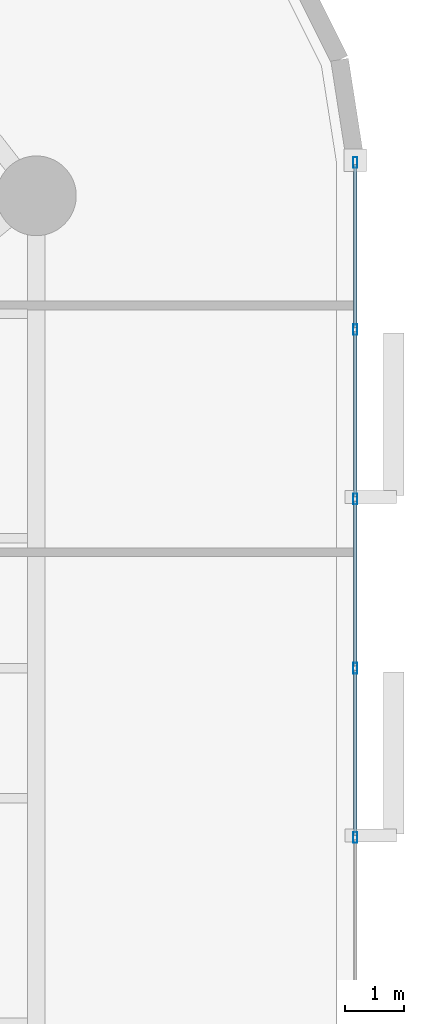
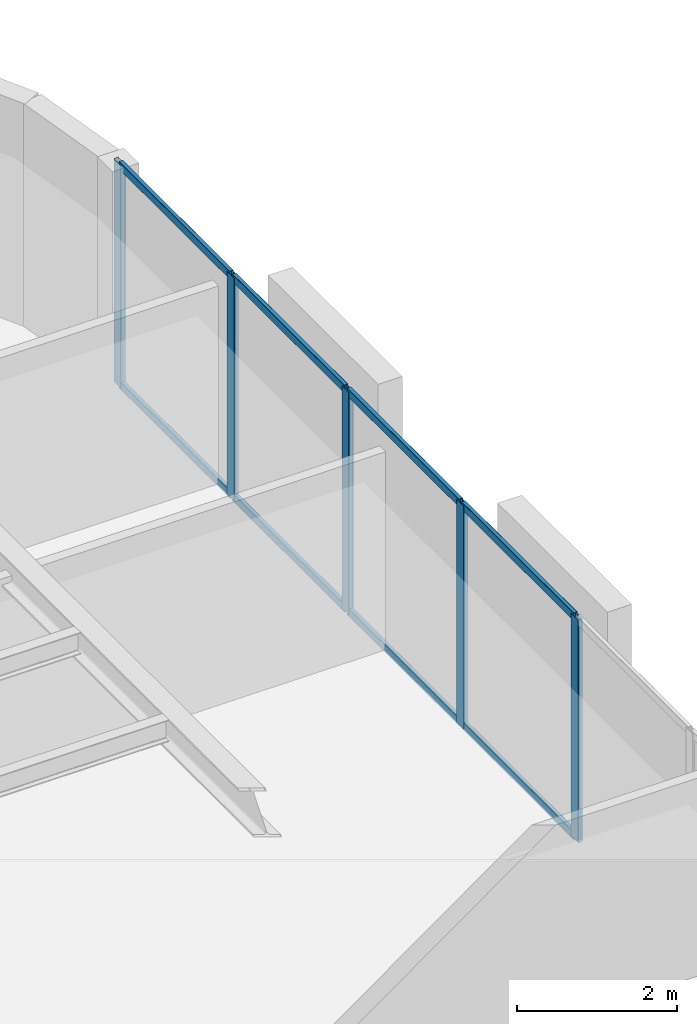
# One storey, part 6 of 15: 13 members, 1 element without a shape of its own.
"""IFC4 building model written with IfcOpenShell, lengths in metres."""

from ifc_helpers import new_model, si_unit, direction, frame, origin, origin_2d, place, context, subcontext, project, spatial, hollow_rectangle, extrude, material, layer, layer_set, material_profile, profile_set, type_object, element, aggregate, save


model = new_model("IFC4")

# Units and contexts
model_context = context("Model", 3, precision=1e-05, world=origin(), true_north=direction((0.0, 1.0)))
body_context = subcontext(model_context, "Body", "Model", "MODEL_VIEW")
ifc_project = project(units=[si_unit("LENGTHUNIT", "METRE"), si_unit("AREAUNIT", "SQUARE_METRE"), si_unit("VOLUMEUNIT", "CUBIC_METRE"), si_unit("PLANEANGLEUNIT", "RADIAN"), si_unit("MASSUNIT", "GRAM", prefix="KILO")], contexts=[model_context])

# Site, building, storey
site_placement = place(None, origin())
site = spatial("IfcSite", under=ifc_project, at=site_placement, CompositionType="ELEMENT")
building_placement = place(site_placement, origin())
building = spatial("IfcBuilding", under=site, at=building_placement, Name="An Khanh Terracotta Commons", CompositionType="ELEMENT")
storey_placement = place(building_placement, frame((0.0, 0.0, 122.300048828125)))
storey = spatial("IfcBuildingStorey", under=building, at=storey_placement, Name="L32", CompositionType="ELEMENT", Elevation=122.300048828125)

# Curtain wall, members
ifc_material = material(Name="Anodised Aluminium 6063-T6", Category="aluminium")
ifc_layer = layer(ifc_material, 0.199951171875, Name="Anodised Aluminium 6063-T6")
ifc_layer_set = layer_set([ifc_layer], Name="Anodised Aluminium 6063-T6")
curtain_wall_type = type_object("IfcCurtainWallType", Name="CW-SYS-02", PredefinedType="USERDEFINED", material=ifc_layer_set)
curtain_wall_placement = place(storey_placement, origin())
curtain_wall = element("IfcCurtainWall", 1, at=curtain_wall_placement, inside=storey, type_object=curtain_wall_type, Name="L32 CW-02 Unitised Curtain Wall CW-L32-12", ObjectType="UNITISED CURTAIN WALL", PredefinedType="USERDEFINED")
ifc_material_profile_1 = material_profile(ifc_material, hollow_rectangle(XDim=0.070068359375, YDim=0.179931640625, WallThickness=0.00390625, InnerFilletRadius=0.00390625, OuterFilletRadius=0.008056640625, at=origin_2d()), Name="RHS180x70x4")
ifc_profile_set_1 = profile_set([ifc_material_profile_1], Name="Anodised Aluminium 6063-T6")
member_type_1 = type_object("IfcMemberType", Name="CWM-RHS180x70x4", PredefinedType="MULLION", material=ifc_profile_set_1)
member_1_placement = place(storey_placement, frame((57.39990234375, 21.13330078125, 0.0), z_axis=(0.0, 0.0, 1.0), x_axis=(-1.0, 0.0, 0.0)))
member_1 = element("IfcMember", 2, at=member_1_placement, type_object=member_type_1, Name="CW-02 mullion 3", PredefinedType="MULLION", context=body_context, shape_type="SweptSolid", body=[
    extrude(hollow_rectangle(XDim=0.070068359375, YDim=0.179931640625, WallThickness=0.00390625, InnerFilletRadius=0.00390625, OuterFilletRadius=0.008056640625, at=origin_2d()), origin(), (0.0, 0.0, 1.0), 3.39990234375),
])
member_2_placement = place(storey_placement, frame((57.39990234375, 24.0, 0.0), z_axis=(0.0, 0.0, 1.0), x_axis=(-1.0, 0.0, 0.0)))
member_2 = element("IfcMember", 3, at=member_2_placement, type_object=member_type_1, Name="CW-02 mullion 4", PredefinedType="MULLION", context=body_context, shape_type="SweptSolid", body=[
    extrude(hollow_rectangle(XDim=0.070068359375, YDim=0.179931640625, WallThickness=0.00390625, InnerFilletRadius=0.00390625, OuterFilletRadius=0.008056640625, at=origin_2d()), origin(), (0.0, 0.0, 1.0), 3.39990234375),
])
member_3_placement = place(storey_placement, frame((57.39990234375, 26.86669921875, 0.0), z_axis=(0.0, 0.0, 1.0), x_axis=(-1.0, 0.0, 0.0)))
member_3 = element("IfcMember", 4, at=member_3_placement, type_object=member_type_1, Name="CW-02 mullion 5", PredefinedType="MULLION", context=body_context, shape_type="SweptSolid", body=[
    extrude(hollow_rectangle(XDim=0.070068359375, YDim=0.179931640625, WallThickness=0.00390625, InnerFilletRadius=0.00390625, OuterFilletRadius=0.008056640625, at=origin_2d()), origin(), (0.0, 0.0, 1.0), 3.39990234375),
])
member_4_placement = place(storey_placement, frame((57.39990234375, 29.7333984375, 0.0), z_axis=(0.0, 0.0, 1.0), x_axis=(-1.0, 0.0, 0.0)))
member_4 = element("IfcMember", 5, at=member_4_placement, type_object=member_type_1, Name="CW-02 mullion 6", PredefinedType="MULLION", context=body_context, shape_type="SweptSolid", body=[
    extrude(hollow_rectangle(XDim=0.070068359375, YDim=0.179931640625, WallThickness=0.00390625, InnerFilletRadius=0.00390625, OuterFilletRadius=0.008056640625, at=origin_2d()), origin(), (0.0, 0.0, 1.0), 3.39990234375),
])
member_5_placement = place(storey_placement, frame((57.39990234375, 32.56494140625, 0.0), z_axis=(0.0, 0.0, 1.0), x_axis=(-1.0, 0.0, 0.0)))
member_5 = element("IfcMember", 6, at=member_5_placement, type_object=member_type_1, Name="CW-02 mullion 7", PredefinedType="MULLION", context=body_context, shape_type="SweptSolid", body=[
    extrude(hollow_rectangle(XDim=0.070068359375, YDim=0.179931640625, WallThickness=0.00390625, InnerFilletRadius=0.00390625, OuterFilletRadius=0.008056640625, at=origin_2d()), origin(), (0.0, 0.0, 1.0), 3.39990234375),
])
ifc_material_profile_2 = material_profile(ifc_material, hollow_rectangle(XDim=0.06005859375, YDim=0.1201171875, WallThickness=0.003662109375, InnerFilletRadius=0.003662109375, OuterFilletRadius=0.007080078125, at=origin_2d()), Name="RHS120x60x3.6")
ifc_profile_set_2 = profile_set([ifc_material_profile_2], Name="Anodised Aluminium 6063-T6")
member_type_2 = type_object("IfcMemberType", Name="CWT-RHS120x60x3.6", PredefinedType="USERDEFINED", material=ifc_profile_set_2)
member_6_placement = place(storey_placement, frame((57.39990234375, 21.168212890625, 0.030029296875), z_axis=(0.0, 1.0, 0.0), x_axis=(-1.0, 0.0, 0.0)))
member_6 = element("IfcMember", 7, at=member_6_placement, type_object=member_type_2, Name="CW-02 transom 3.1", ObjectType="TRANSOM", PredefinedType="USERDEFINED", context=body_context, shape_type="SweptSolid", body=[
    extrude(hollow_rectangle(XDim=0.06005859375, YDim=0.1201171875, WallThickness=0.003662109375, InnerFilletRadius=0.003662109375, OuterFilletRadius=0.007080078125, at=origin_2d()), origin(), (0.0, 0.0, 1.0), 2.796875),
])
member_7_placement = place(storey_placement, frame((57.39990234375, 21.168212890625, 3.369873046875), z_axis=(0.0, 1.0, 0.0), x_axis=(-1.0, 0.0, 0.0)))
member_7 = element("IfcMember", 8, at=member_7_placement, type_object=member_type_2, Name="CW-02 transom 3.2", ObjectType="TRANSOM", PredefinedType="USERDEFINED", context=body_context, shape_type="SweptSolid", body=[
    extrude(hollow_rectangle(XDim=0.06005859375, YDim=0.1201171875, WallThickness=0.003662109375, InnerFilletRadius=0.003662109375, OuterFilletRadius=0.007080078125, at=origin_2d()), origin(), (0.0, 0.0, 1.0), 2.796875),
])
member_8_placement = place(storey_placement, frame((57.39990234375, 24.034912109375, 0.030029296875), z_axis=(0.0, 1.0, 0.0), x_axis=(-1.0, 0.0, 0.0)))
member_8 = element("IfcMember", 9, at=member_8_placement, type_object=member_type_2, Name="CW-02 transom 4.1", ObjectType="TRANSOM", PredefinedType="USERDEFINED", context=body_context, shape_type="SweptSolid", body=[
    extrude(hollow_rectangle(XDim=0.06005859375, YDim=0.1201171875, WallThickness=0.003662109375, InnerFilletRadius=0.003662109375, OuterFilletRadius=0.007080078125, at=origin_2d()), origin(), (0.0, 0.0, 1.0), 2.796875),
])
member_9_placement = place(storey_placement, frame((57.39990234375, 24.034912109375, 3.369873046875), z_axis=(0.0, 1.0, 0.0), x_axis=(-1.0, 0.0, 0.0)))
member_9 = element("IfcMember", 10, at=member_9_placement, type_object=member_type_2, Name="CW-02 transom 4.2", ObjectType="TRANSOM", PredefinedType="USERDEFINED", context=body_context, shape_type="SweptSolid", body=[
    extrude(hollow_rectangle(XDim=0.06005859375, YDim=0.1201171875, WallThickness=0.003662109375, InnerFilletRadius=0.003662109375, OuterFilletRadius=0.007080078125, at=origin_2d()), origin(), (0.0, 0.0, 1.0), 2.796875),
])
member_10_placement = place(storey_placement, frame((57.39990234375, 26.901611328125, 0.030029296875), z_axis=(0.0, 1.0, 0.0), x_axis=(-1.0, 0.0, 0.0)))
member_10 = element("IfcMember", 11, at=member_10_placement, type_object=member_type_2, Name="CW-02 transom 5.1", ObjectType="TRANSOM", PredefinedType="USERDEFINED", context=body_context, shape_type="SweptSolid", body=[
    extrude(hollow_rectangle(XDim=0.06005859375, YDim=0.1201171875, WallThickness=0.003662109375, InnerFilletRadius=0.003662109375, OuterFilletRadius=0.007080078125, at=origin_2d()), origin(), (0.0, 0.0, 1.0), 2.796630859375),
])
member_11_placement = place(storey_placement, frame((57.39990234375, 26.901611328125, 3.369873046875), z_axis=(0.0, 1.0, 0.0), x_axis=(-1.0, 0.0, 0.0)))
member_11 = element("IfcMember", 12, at=member_11_placement, type_object=member_type_2, Name="CW-02 transom 5.2", ObjectType="TRANSOM", PredefinedType="USERDEFINED", context=body_context, shape_type="SweptSolid", body=[
    extrude(hollow_rectangle(XDim=0.06005859375, YDim=0.1201171875, WallThickness=0.003662109375, InnerFilletRadius=0.003662109375, OuterFilletRadius=0.007080078125, at=origin_2d()), origin(), (0.0, 0.0, 1.0), 2.796630859375),
])
member_12_placement = place(storey_placement, frame((57.39990234375, 29.768310546875, 0.030029296875), z_axis=(0.0, 1.0, 0.0), x_axis=(-1.0, 0.0, 0.0)))
member_12 = element("IfcMember", 13, at=member_12_placement, type_object=member_type_2, Name="CW-02 transom 6.1", ObjectType="TRANSOM", PredefinedType="USERDEFINED", context=body_context, shape_type="SweptSolid", body=[
    extrude(hollow_rectangle(XDim=0.06005859375, YDim=0.1201171875, WallThickness=0.003662109375, InnerFilletRadius=0.003662109375, OuterFilletRadius=0.007080078125, at=origin_2d()), origin(), (0.0, 0.0, 1.0), 2.76171875),
])
member_13_placement = place(storey_placement, frame((57.39990234375, 29.768310546875, 3.369873046875), z_axis=(0.0, 1.0, 0.0), x_axis=(-1.0, 0.0, 0.0)))
member_13 = element("IfcMember", 14, at=member_13_placement, type_object=member_type_2, Name="CW-02 transom 6.2", ObjectType="TRANSOM", PredefinedType="USERDEFINED", context=body_context, shape_type="SweptSolid", body=[
    extrude(hollow_rectangle(XDim=0.06005859375, YDim=0.1201171875, WallThickness=0.003662109375, InnerFilletRadius=0.003662109375, OuterFilletRadius=0.007080078125, at=origin_2d()), origin(), (0.0, 0.0, 1.0), 2.76171875),
])
aggregate(curtain_wall, [member_1, member_2, member_3, member_4, member_5, member_6, member_7, member_8, member_9, member_10, member_11, member_12, member_13])

save(model, "model.ifc")
